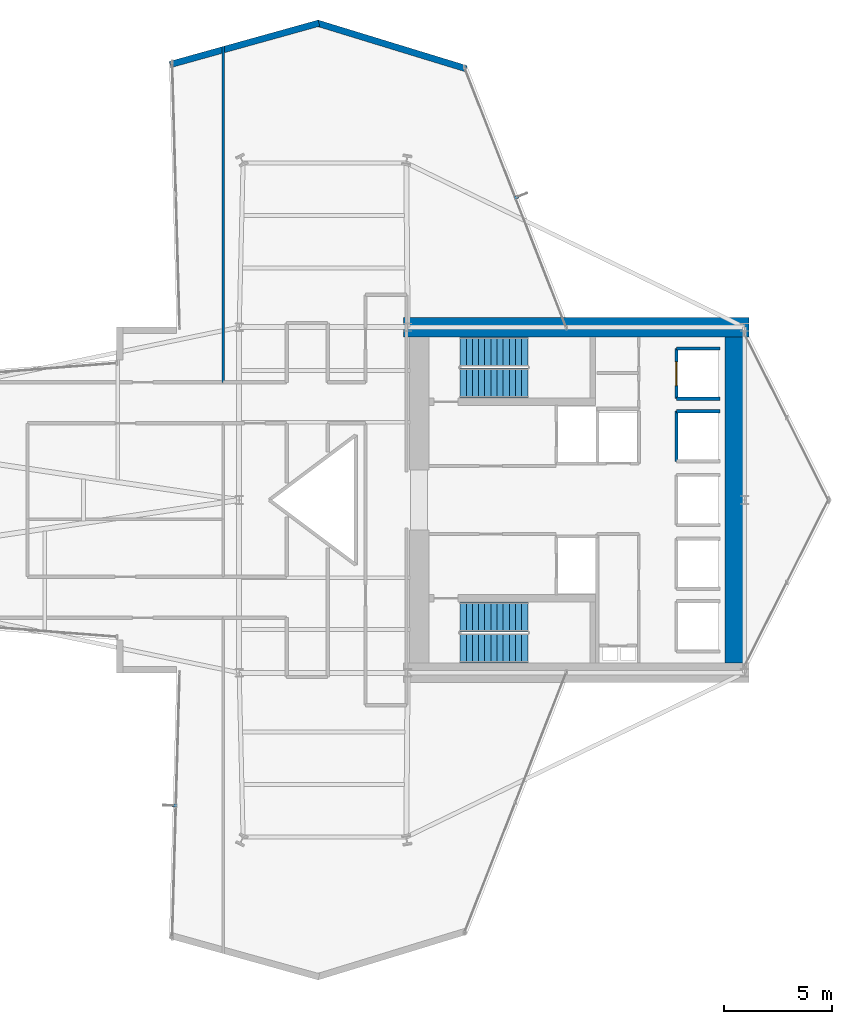
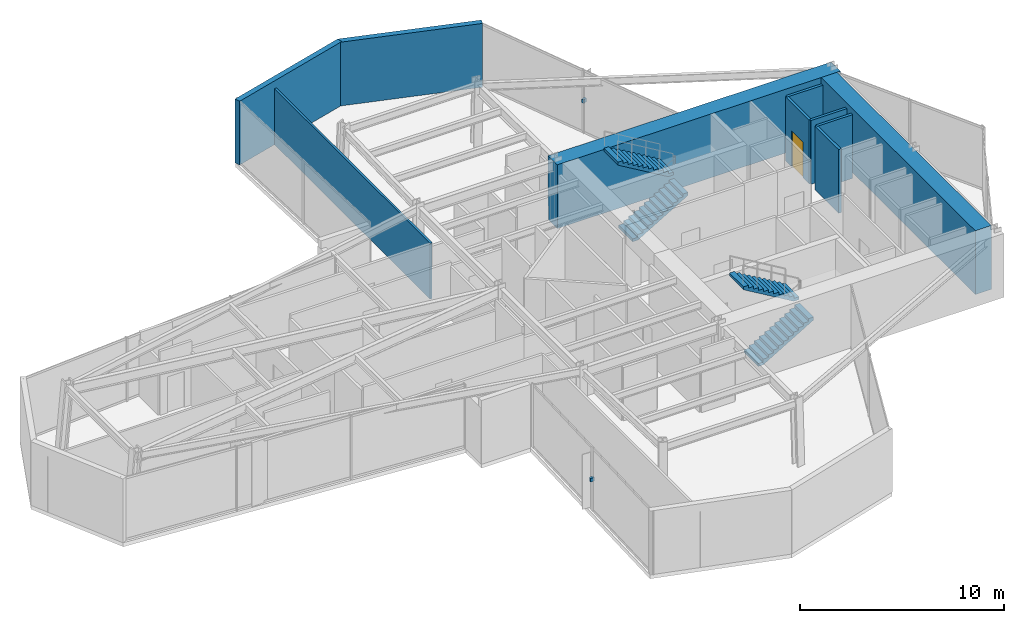
# One storey, part 28 of 29: 10 walls, 4 stair flights, 2 discrete accessories, 1 door, 1 opening, 2 elements without a shape of their own.
"""IFC4 building model written with IfcOpenShell, lengths in metres."""

from ifc_helpers import new_model, si_unit, direction, frame, frame_2d, origin, origin_2d, place, context, subcontext, project, spatial, polyline, rectangle, outline, extrude, material, layer, layer_set, type_object, element, fill, aggregate, save


model = new_model("IFC4")

# Units and contexts
model_context = context("Model", 3, precision=1e-05, world=origin(), true_north=direction((0.0, 1.0)))
body_context = subcontext(model_context, "Body", "Model", "MODEL_VIEW")
ifc_project = project(units=[si_unit("LENGTHUNIT", "METRE"), si_unit("AREAUNIT", "SQUARE_METRE"), si_unit("VOLUMEUNIT", "CUBIC_METRE"), si_unit("PLANEANGLEUNIT", "RADIAN"), si_unit("MASSUNIT", "GRAM", prefix="KILO")], contexts=[model_context])

# Site, building, storey
site_placement = place(None, origin())
site = spatial("IfcSite", under=ifc_project, at=site_placement, CompositionType="ELEMENT")
building_placement = place(site_placement, origin())
building = spatial("IfcBuilding", under=site, at=building_placement, Name="Veymaron Broadcast Tower", CompositionType="ELEMENT")
storey_placement = place(building_placement, frame((0.0, 0.0, 58.050048828125)))
storey = spatial("IfcBuildingStorey", under=building, at=storey_placement, Name="L12", CompositionType="ELEMENT", Elevation=58.050048828125)

# Walls
ifc_material_1 = material(Name="Precast concrete C40/50 with mineral-wool insulation", Category="concrete")
ifc_layer_1 = layer(ifc_material_1, 0.300048828125)
ifc_layer_set_1 = layer_set([ifc_layer_1], Name="Precast concrete C40/50 with mineral-wool insulation")
wall_type_1 = type_object("IfcWallType", Name="WALL-EXT-300", PredefinedType="STANDARD", material=ifc_layer_set_1)
wall_1_placement = place(storey_placement, frame((41.71142578125, 43.97021484375, 0.0), z_axis=(0.0, 0.0, 1.0), x_axis=(-0.956174816369, 0.292796380685, 0.0)))
element("IfcWall", 1, at=wall_1_placement, inside=storey, type_object=wall_type_1, Name="L12 notched corner facade pier 6-1", PredefinedType="STANDARD", context=body_context, shape_type="SweptSolid", body=[
    extrude(rectangle(XDim=7.212646484375, YDim=0.300048828125, at=frame_2d((3.6064453125, 0.0))), origin(), (0.0, 0.0, 1.0), 3.81005859375),
])
wall_2_placement = place(storey_placement, frame((34.8935546875, 46.0810546875, 0.0), z_axis=(0.0, 0.0, 1.0), x_axis=(-0.963365312104, -0.268192608836, 0.0)))
element("IfcWall", 2, at=wall_2_placement, inside=storey, type_object=wall_type_1, Name="L12 notched corner facade pier 7-1", PredefinedType="STANDARD", context=body_context, shape_type="SweptSolid", body=[
    extrude(rectangle(XDim=7.15869140625, YDim=0.300048828125, at=frame_2d((3.579345703125, 0.0))), origin(), (0.0, 0.0, 1.0), 3.81005859375),
])

# Wall, opening, door
ifc_material_2 = material(Name="Gypsum fireboard and steel stud framing", Category="steel")
ifc_layer_2 = layer(ifc_material_2, 0.14990234375)
ifc_layer_set_2 = layer_set([ifc_layer_2], Name="Gypsum fireboard and steel stud framing")
wall_type_2 = type_object("IfcWallType", Name="WALL-FIRE-150", PredefinedType="PARTITIONING", material=ifc_layer_set_2)
wall_3_placement = place(storey_placement, frame((51.445068359375, 28.68994140625, 0.0), z_axis=(0.0, 0.0, 1.0), x_axis=(0.0, 1.0, 0.0)))
wall_3 = element("IfcWall", 3, at=wall_3_placement, inside=storey, type_object=wall_type_2, Name="L12 partition IW-L12-SHW-PL1", PredefinedType="PARTITIONING", context=body_context, shape_type="SweptSolid", body=[
    extrude(rectangle(XDim=2.320068359375, YDim=0.14990234375, at=frame_2d((1.16015625, 0.0))), origin(), (0.0, 0.0, 1.0), 3.81005859375),
])
opening_placement = place(wall_3_placement, frame((0.610107421875, 0.0, 0.0)))
opening = element("IfcOpeningElement", 4, at=opening_placement, cuts=wall_3, Name="Opening LD", PredefinedType="OPENING", context=body_context, shape_type="SweptSolid", body=[
    extrude(rectangle(XDim=1.10009765625, YDim=2.14990234375, at=frame_2d((0.550048828125, 1.074951171875))), frame((0.0, 0.0849609375, 0.0), z_axis=(0.0, -1.0, 0.0), x_axis=(1.0, 0.0, 0.0)), (0.0, 0.0, 1.0), 0.169921875),
])
ifc_material_3 = material(Name="Brushed stainless steel AISI 304", Category="steel")
door_type = type_object("IfcDoorType", Name="DOOR-LIFT-1100", OperationType="DOUBLE_DOOR_SLIDING", PredefinedType="DOOR", material=ifc_material_3)
door_placement = place(opening_placement, frame((1.10009765625, 0.0, 0.0), z_axis=(0.0, 0.0, 1.0), x_axis=(-1.0, 0.0, 0.0)))
door = element("IfcDoor", 5, at=door_placement, inside=storey, type_object=door_type, Name="L12 door LD-L12-PL1", OperationType="DOUBLE_DOOR_SLIDING", OverallHeight=2.14990234375, OverallWidth=1.10009765625, PredefinedType="DOOR", context=body_context, shape_type="SweptSolid", body=[
    extrude(rectangle(XDim=1.10009765625, YDim=2.14990234375, at=frame_2d((0.550048828125, 1.074951171875))), frame((0.0, 0.02490234375, 0.0), z_axis=(0.0, -1.0, 0.0), x_axis=(1.0, 0.0, 0.0)), (0.0, 0.0, 1.0), 0.050048828125),
])
fill(opening, door)

# Walls
for number, where, z_axis, x_axis, name in (
    (6, (51.445068359375, 28.68994140625, 0.0), (0.0, 0.0, 1.0), (1.0, 0.0, 0.0), "L12 partition IW-L12-SHS-PL1"),
    (7, (51.445068359375, 31.010009765625, 0.0), (0.0, 0.0, 1.0), (1.0, 0.0, 0.0), "L12 partition IW-L12-SHN-PL1"),
):
    element("IfcWall", number, at=place(storey_placement, frame(where, z_axis=z_axis, x_axis=x_axis)), inside=storey, type_object=wall_type_2, Name=name, PredefinedType="PARTITIONING", context=body_context, shape_type="SweptSolid", body=[
        extrude(rectangle(XDim=2.014892578125, YDim=0.14990234375, at=frame_2d((1.00732421875, 0.0))), origin(), (0.0, 0.0, 1.0), 3.81005859375),
    ])
wall_4_placement = place(storey_placement, frame((51.445068359375, 25.7900390625, 0.0), z_axis=(0.0, 0.0, 1.0), x_axis=(0.0, 1.0, 0.0)))
element("IfcWall", 8, at=wall_4_placement, inside=storey, type_object=wall_type_2, Name="L12 partition IW-L12-SHW-PM1", PredefinedType="PARTITIONING", context=body_context, shape_type="SweptSolid", body=[
    extrude(rectangle(XDim=2.320068359375, YDim=0.14990234375, at=frame_2d((1.16015625, 0.0))), origin(), (0.0, 0.0, 1.0), 3.81005859375),
])
wall_5_placement = place(storey_placement, frame((51.445068359375, 28.110107421875, 0.0), z_axis=(0.0, 0.0, 1.0), x_axis=(1.0, 0.0, 0.0)))
element("IfcWall", 9, at=wall_5_placement, inside=storey, type_object=wall_type_2, Name="L12 partition IW-L12-SHN-PM1", PredefinedType="PARTITIONING", context=body_context, shape_type="SweptSolid", body=[
    extrude(rectangle(XDim=2.014892578125, YDim=0.14990234375, at=frame_2d((1.00732421875, 0.0))), origin(), (0.0, 0.0, 1.0), 3.81005859375),
])
ifc_material_4 = material(Name="Acoustic gypsum board and galvanized stud", Category="gypsum")
ifc_layer_3 = layer(ifc_material_4, 0.1201171875)
ifc_layer_set_3 = layer_set([ifc_layer_3], Name="Acoustic gypsum board and galvanized stud")
wall_type_3 = type_object("IfcWallType", Name="WALL-PART-120", PredefinedType="PARTITIONING", material=ifc_layer_set_3)
wall_6_placement = place(storey_placement, frame((30.458984375, 29.449951171875, 0.0), z_axis=(0.0, 0.0, 1.0), x_axis=(0.0, 1.0, 0.0)))
element("IfcWall", 10, at=wall_6_placement, inside=storey, type_object=wall_type_3, Name="L12 partition IW-L12-P46", PredefinedType="PARTITIONING", context=body_context, shape_type="SweptSolid", body=[
    extrude(rectangle(XDim=15.541748046875, YDim=0.1201171875, at=frame_2d((7.77099609375, 0.0))), origin(), (0.0, 0.0, 1.0), 3.337890625),
])
ifc_material_5 = material(Name="Concrete C70/85", Category="concrete")
ifc_layer_4 = layer(ifc_material_5, 0.89990234375)
ifc_layer_set_4 = layer_set([ifc_layer_4], Name="Concrete C70/85")
wall_type_4 = type_object("IfcWallType", Name="WALL-SHEAR-900", PredefinedType="SHEAR", material=ifc_layer_set_4)
wall_7_placement = place(storey_placement, frame((38.800048828125, 32.0, 0.0), z_axis=(0.0, 0.0, 1.0), x_axis=(1.0, 0.0, 0.0)))
element("IfcWall", 11, at=wall_7_placement, inside=storey, type_object=wall_type_4, Name="L12 Core Wall north shear", PredefinedType="SHEAR", context=body_context, shape_type="SweptSolid", body=[
    extrude(rectangle(XDim=16.0, YDim=0.89990234375, at=frame_2d((8.0, 0.0))), origin(), (0.0, 0.0, 1.0), 3.81005859375),
])
wall_8_placement = place(storey_placement, frame((54.14990234375, 16.449951171875, 0.0), z_axis=(0.0, 0.0, 1.0), x_axis=(0.0, 1.0, 0.0)))
element("IfcWall", 12, at=wall_8_placement, inside=storey, type_object=wall_type_4, Name="L12 Core Wall east shear", PredefinedType="SHEAR", context=body_context, shape_type="SweptSolid", body=[
    extrude(rectangle(XDim=15.10009765625, YDim=0.89990234375, at=frame_2d((7.550048828125, 0.0))), origin(), (0.0, 0.0, 1.0), 3.81005859375),
])

# Stair, stair flights
ifc_material_6 = material(Name="Concrete C50/60", Category="concrete")
stair_type_1 = type_object("IfcStairType", Name="STAIR-CORE-1", PredefinedType="HALF_TURN_STAIR", material=ifc_material_6)
stair_1_placement = place(storey_placement, origin())
stair_1 = element("IfcStair", 13, at=stair_1_placement, inside=storey, type_object=stair_type_1, Name="L12 North protected dog-leg exit stair ST1", PredefinedType="HALF_TURN_STAIR")
ifc_material_7 = material(Name="Precast concrete C50/60", Category="concrete")
stair_flight_type = type_object("IfcStairFlightType", Name="FLT-CORE-RC", PredefinedType="STRAIGHT", material=ifc_material_7)
stair_flight_1_placement = place(storey_placement, frame((41.429931640625, 29.419921875, 0.0), z_axis=(0.0, 0.0, 1.0), x_axis=(1.0, 0.0, 0.0)))
stair_flight_1 = element("IfcStairFlight", 14, at=stair_flight_1_placement, type_object=stair_flight_type, Name="ST1 flight 1", NumberOfRisers=12, NumberOfTreads=11, PredefinedType="STRAIGHT", RiserHeight=0.16875, TreadLength=0.285, context=body_context, shape_type="SweptSolid", body=[
    extrude(outline(polyline([(0.0, 0.0), (0.0, 0.168701171875), (0.284912109375, 0.168701171875), (0.284912109375, 0.33740234375), (0.570068359375, 0.33740234375), (0.570068359375, 0.50634765625), (0.85498046875, 0.50634765625), (0.85498046875, 0.675048828125), (1.139892578125, 0.675048828125), (1.139892578125, 0.84375), (1.425048828125, 0.84375), (1.425048828125, 1.012451171875), (1.7099609375, 1.012451171875), (1.7099609375, 1.18115234375), (1.9951171875, 1.18115234375), (1.9951171875, 1.35009765625), (2.280029296875, 1.35009765625), (2.280029296875, 1.518798828125), (2.56494140625, 1.518798828125), (2.56494140625, 1.6875), (2.85009765625, 1.6875), (2.85009765625, 1.856201171875), (3.135009765625, 1.856201171875), (3.135009765625, 2.02490234375), (3.135009765625, 1.68212890625), (0.294189453125, 0.0), (0.0, 0.0)])), frame((0.0, 0.68994140625, 0.0), z_axis=(0.0, -1.0, 0.0), x_axis=(1.0, 0.0, 0.0)), (0.0, 0.0, 1.0), 1.3798828125),
])
stair_flight_2_placement = place(storey_placement, frame((44.56494140625, 30.860107421875, 2.02490234375), z_axis=(0.0, 0.0, 1.0), x_axis=(-1.0, 0.0, 0.0)))
stair_flight_2 = element("IfcStairFlight", 15, at=stair_flight_2_placement, type_object=stair_flight_type, Name="ST1 flight 2", NumberOfRisers=12, NumberOfTreads=11, PredefinedType="STRAIGHT", RiserHeight=0.16875, TreadLength=0.285, context=body_context, shape_type="SweptSolid", body=[
    extrude(outline(polyline([(0.0, 0.0), (0.0, 0.168701171875), (0.284912109375, 0.168701171875), (0.284912109375, 0.33740234375), (0.570068359375, 0.33740234375), (0.570068359375, 0.50634765625), (0.85498046875, 0.50634765625), (0.85498046875, 0.675048828125), (1.139892578125, 0.675048828125), (1.139892578125, 0.84375), (1.425048828125, 0.84375), (1.425048828125, 1.012451171875), (1.7099609375, 1.012451171875), (1.7099609375, 1.18115234375), (1.9951171875, 1.18115234375), (1.9951171875, 1.35009765625), (2.280029296875, 1.35009765625), (2.280029296875, 1.518798828125), (2.56494140625, 1.518798828125), (2.56494140625, 1.6875), (2.85009765625, 1.6875), (2.85009765625, 1.856201171875), (3.135009765625, 1.856201171875), (3.135009765625, 2.02490234375), (3.135009765625, 1.68212890625), (0.294189453125, 0.0), (0.0, 0.0)])), frame((0.0, 0.68994140625, 0.0), z_axis=(0.0, -1.0, 0.0), x_axis=(1.0, 0.0, 0.0)), (0.0, 0.0, 1.0), 1.3798828125),
])
aggregate(stair_1, [stair_flight_1, stair_flight_2])

stair_type_2 = type_object("IfcStairType", Name="STAIR-CORE-2", PredefinedType="HALF_TURN_STAIR", material=ifc_material_6)
stair_2_placement = place(storey_placement, origin())
stair_2 = element("IfcStair", 16, at=stair_2_placement, inside=storey, type_object=stair_type_2, Name="L12 South protected dog-leg exit stair ST2", PredefinedType="HALF_TURN_STAIR")
stair_flight_3_placement = place(storey_placement, frame((41.429931640625, 17.139892578125, 0.0), z_axis=(0.0, 0.0, 1.0), x_axis=(1.0, 0.0, 0.0)))
stair_flight_3 = element("IfcStairFlight", 17, at=stair_flight_3_placement, type_object=stair_flight_type, Name="ST2 flight 1", NumberOfRisers=12, NumberOfTreads=11, PredefinedType="STRAIGHT", RiserHeight=0.16875, TreadLength=0.285, context=body_context, shape_type="SweptSolid", body=[
    extrude(outline(polyline([(0.0, 0.0), (0.0, 0.168701171875), (0.284912109375, 0.168701171875), (0.284912109375, 0.33740234375), (0.570068359375, 0.33740234375), (0.570068359375, 0.50634765625), (0.85498046875, 0.50634765625), (0.85498046875, 0.675048828125), (1.139892578125, 0.675048828125), (1.139892578125, 0.84375), (1.425048828125, 0.84375), (1.425048828125, 1.012451171875), (1.7099609375, 1.012451171875), (1.7099609375, 1.18115234375), (1.9951171875, 1.18115234375), (1.9951171875, 1.35009765625), (2.280029296875, 1.35009765625), (2.280029296875, 1.518798828125), (2.56494140625, 1.518798828125), (2.56494140625, 1.6875), (2.85009765625, 1.6875), (2.85009765625, 1.856201171875), (3.135009765625, 1.856201171875), (3.135009765625, 2.02490234375), (3.135009765625, 1.68212890625), (0.294189453125, 0.0), (0.0, 0.0)])), frame((0.0, 0.68994140625, 0.0), z_axis=(0.0, -1.0, 0.0), x_axis=(1.0, 0.0, 0.0)), (0.0, 0.0, 1.0), 1.3798828125),
])
stair_flight_4_placement = place(storey_placement, frame((44.56494140625, 18.580078125, 2.02490234375), z_axis=(0.0, 0.0, 1.0), x_axis=(-1.0, 0.0, 0.0)))
stair_flight_4 = element("IfcStairFlight", 18, at=stair_flight_4_placement, type_object=stair_flight_type, Name="ST2 flight 2", NumberOfRisers=12, NumberOfTreads=11, PredefinedType="STRAIGHT", RiserHeight=0.16875, TreadLength=0.285, context=body_context, shape_type="SweptSolid", body=[
    extrude(outline(polyline([(0.0, 0.0), (0.0, 0.168701171875), (0.284912109375, 0.168701171875), (0.284912109375, 0.33740234375), (0.570068359375, 0.33740234375), (0.570068359375, 0.50634765625), (0.85498046875, 0.50634765625), (0.85498046875, 0.675048828125), (1.139892578125, 0.675048828125), (1.139892578125, 0.84375), (1.425048828125, 0.84375), (1.425048828125, 1.012451171875), (1.7099609375, 1.012451171875), (1.7099609375, 1.18115234375), (1.9951171875, 1.18115234375), (1.9951171875, 1.35009765625), (2.280029296875, 1.35009765625), (2.280029296875, 1.518798828125), (2.56494140625, 1.518798828125), (2.56494140625, 1.6875), (2.85009765625, 1.6875), (2.85009765625, 1.856201171875), (3.135009765625, 1.856201171875), (3.135009765625, 2.02490234375), (3.135009765625, 1.68212890625), (0.294189453125, 0.0), (0.0, 0.0)])), frame((0.0, 0.68994140625, 0.0), z_axis=(0.0, -1.0, 0.0), x_axis=(1.0, 0.0, 0.0)), (0.0, 0.0, 1.0), 1.3798828125),
])
aggregate(stair_2, [stair_flight_3, stair_flight_4])

# Discrete accessories
ifc_material_8 = material(Name="Austenitic stainless steel AISI 316L", Category="steel")
ifc_layer_5 = layer(ifc_material_8, 0.1201171875)
ifc_layer_set_5 = layer_set([ifc_layer_5], Name="Austenitic stainless steel AISI 316L")
discrete_accessory_type = type_object("IfcDiscreteAccessoryType", Name="ACC-BRKT-SS1", PredefinedType="BRACKET", material=ifc_layer_set_5)
for number, where, z_axis, x_axis, name in (
    (19, (44.04541015625, 38.02294921875, 1.794921875), (0.0, 0.0, 1.0), (0.931284890909, 0.36429171273, 0.0), "CW-L12-E5-1 fin bracket 1"),
    (20, (28.21240234375, 9.849853515625, 1.794921875), (0.0, 0.0, 1.0), (-0.999604736048, 0.028113549573, 0.0), "CW-L12-E17-1 fin bracket 1"),
):
    element("IfcDiscreteAccessory", number, at=place(storey_placement, frame(where, z_axis=z_axis, x_axis=x_axis)), inside=storey, type_object=discrete_accessory_type, Name=name, PredefinedType="BRACKET", context=body_context, shape_type="SweptSolid", body=[
        extrude(rectangle(XDim=0.219970703125, YDim=0.139892578125, at=origin_2d()), origin(), (0.0, 0.0, 1.0), 0.219970703125),
    ])

save(model, "model.ifc")
